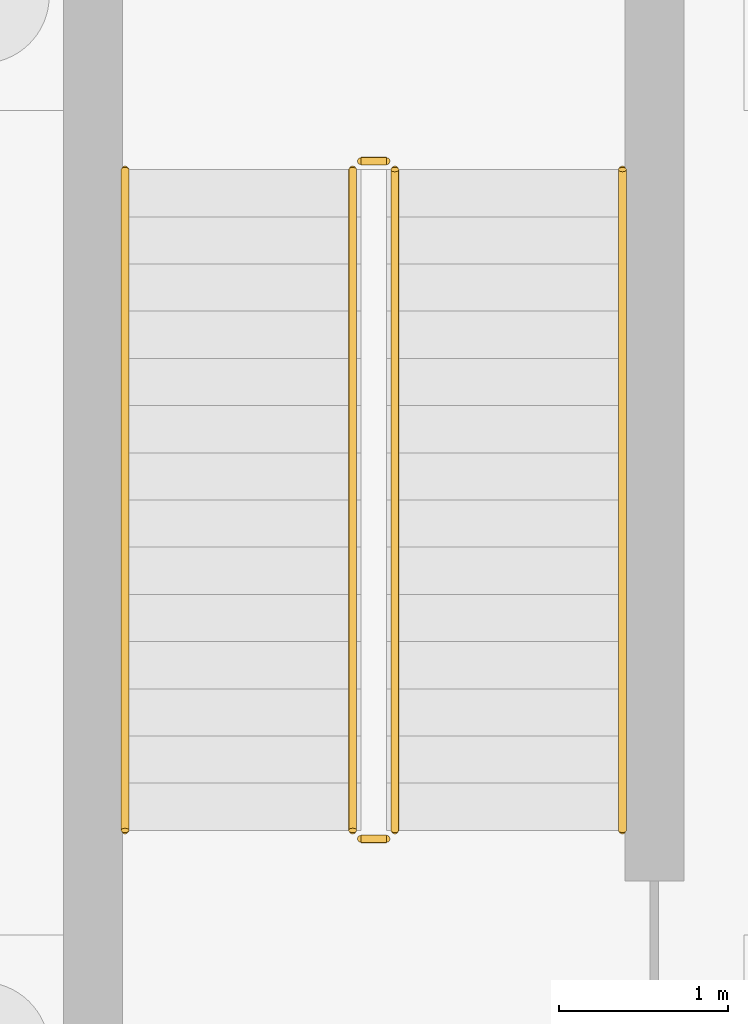
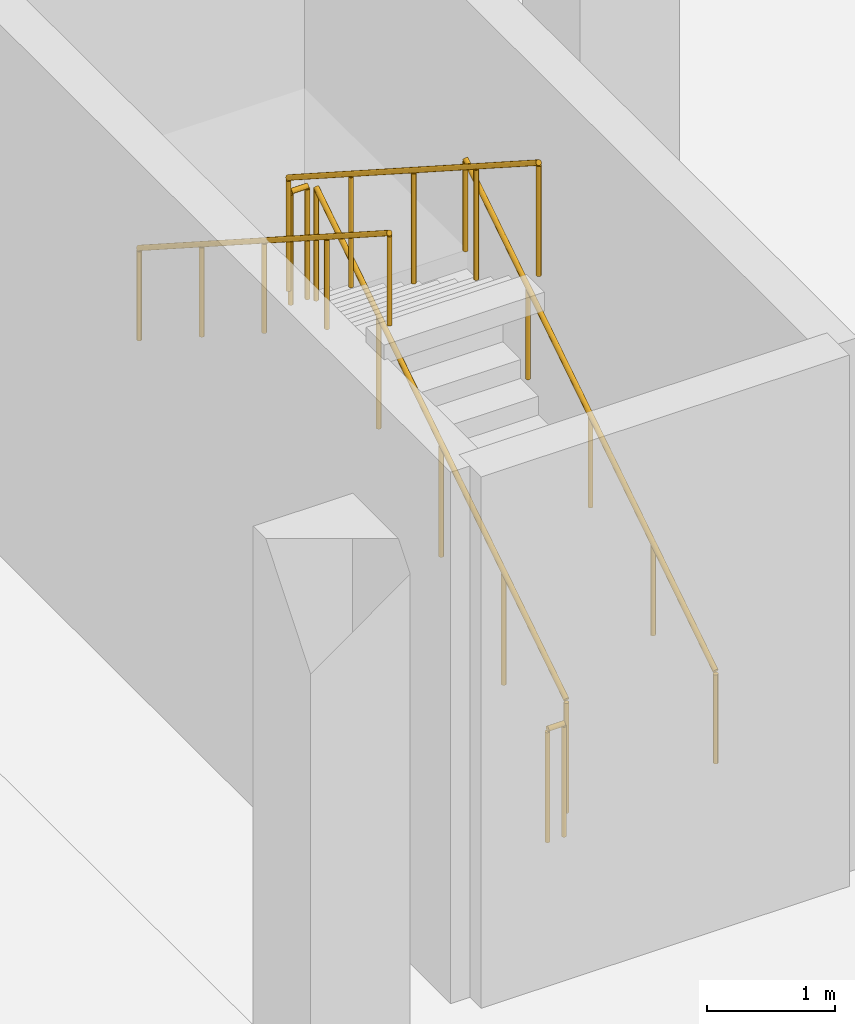
# One storey, part 39 of 42: 6 railings.
"""IFC4 building model written with IfcOpenShell, lengths in metres."""

from ifc_helpers import new_model, si_unit, direction, frame, origin, origin_2d, place, context, subcontext, project, spatial, circle, extrude, material, type_object, element, save


model = new_model("IFC4")

# Units and contexts
model_context = context("Model", 3, precision=1e-05, world=origin(), true_north=direction((0.0, 1.0)))
body_context = subcontext(model_context, "Body", "Model", "MODEL_VIEW")
ifc_project = project(units=[si_unit("LENGTHUNIT", "METRE"), si_unit("AREAUNIT", "SQUARE_METRE"), si_unit("VOLUMEUNIT", "CUBIC_METRE"), si_unit("PLANEANGLEUNIT", "RADIAN"), si_unit("MASSUNIT", "GRAM", prefix="KILO")], contexts=[model_context])

# Site, building, storey
site_placement = place(None, origin())
site = spatial("IfcSite", under=ifc_project, at=site_placement, CompositionType="ELEMENT")
building_placement = place(site_placement, origin())
building = spatial("IfcBuilding", under=site, at=building_placement, Name="Sundgate Opera House", CompositionType="ELEMENT")
storey_placement = place(building_placement, frame((0.0, 0.0, -5.39990234375)))
storey = spatial("IfcBuildingStorey", under=building, at=storey_placement, Name="B01", CompositionType="ELEMENT", Elevation=-5.39990234375)

# Railings
ifc_material_1 = material(Name="Painted steel S275 guardrail", Category="steel")
railing_type_1 = type_object("IfcRailingType", Name="RL-STAIR-GUARD-1100", PredefinedType="GUARDRAIL", material=ifc_material_1)
railing_1_placement = place(storey_placement, frame((98.85009765625, 89.300048828125, 0.179931640625)))
element("IfcRailing", 1, at=railing_1_placement, inside=storey, type_object=railing_type_1, Name="ST05B01 Guardrail RL0176", PredefinedType="GUARDRAIL", context=body_context, shape_type="SweptSolid", body=[
    extrude(circle(Radius=0.02392578125, at=origin_2d()), frame((0.0, 0.0, 1.076171875), z_axis=(0.0, 0.841171666519, 0.540768182723), x_axis=(-1.0, 0.0, 0.0)), (0.0, 0.0, 1.0), 4.66015625),
    extrude(circle(Radius=0.02099609375, at=origin_2d()), origin(), (0.0, 0.0, 1.0), 1.052001953125),
    extrude(circle(Radius=0.02099609375, at=origin_2d()), frame((0.0, 0.97998046875, 0.6298828125)), (0.0, 0.0, 1.0), 1.052001953125),
    extrude(circle(Radius=0.02099609375, at=origin_2d()), frame((0.0, 1.9599609375, 1.260009765625)), (0.0, 0.0, 1.0), 1.052001953125),
    extrude(circle(Radius=0.02099609375, at=origin_2d()), frame((0.0, 2.93994140625, 1.89013671875)), (0.0, 0.0, 1.0), 1.052001953125),
    extrude(circle(Radius=0.02099609375, at=origin_2d()), frame((0.0, 3.919921875, 2.52001953125)), (0.0, 0.0, 1.0), 1.052001953125),
])
railing_2_placement = place(storey_placement, frame((98.800048828125, 93.27001953125, 2.699951171875)))
element("IfcRailing", 2, at=railing_2_placement, inside=storey, type_object=railing_type_1, Name="ST05B01 Guardrail RL0177", PredefinedType="GUARDRAIL", context=body_context, shape_type="SweptSolid", body=[
    extrude(circle(Radius=0.02392578125, at=origin_2d()), frame((0.0, 0.0, 1.076171875), z_axis=(-1.0, 0.0, 0.0), x_axis=(0.0, -1.0, 0.0)), (0.0, 0.0, 1.0), 0.150146484375),
    extrude(circle(Radius=0.02099609375, at=origin_2d()), origin(), (0.0, 0.0, 1.0), 1.052001953125),
    extrude(circle(Radius=0.02099609375, at=origin_2d()), frame((-0.150146484375, 0.0, 0.0)), (0.0, 0.0, 1.0), 1.052001953125),
])
railing_3_placement = place(storey_placement, frame((98.60009765625, 93.219970703125, 2.8798828125)))
element("IfcRailing", 3, at=railing_3_placement, inside=storey, type_object=railing_type_1, Name="ST05B01 Guardrail RL0178", PredefinedType="GUARDRAIL", context=body_context, shape_type="SweptSolid", body=[
    extrude(circle(Radius=0.02392578125, at=origin_2d()), frame((0.0, 0.0, 1.076171875), z_axis=(0.0, -0.841171666519, 0.540768182723), x_axis=(1.0, 0.0, 0.0)), (0.0, 0.0, 1.0), 4.66015625),
    extrude(circle(Radius=0.02099609375, at=origin_2d()), origin(), (0.0, 0.0, 1.0), 1.052001953125),
    extrude(circle(Radius=0.02099609375, at=origin_2d()), frame((0.0, -0.97998046875, 0.6298828125)), (0.0, 0.0, 1.0), 1.052001953125),
    extrude(circle(Radius=0.02099609375, at=origin_2d()), frame((0.0, -1.9599609375, 1.260009765625)), (0.0, 0.0, 1.0), 1.052001953125),
    extrude(circle(Radius=0.02099609375, at=origin_2d()), frame((0.0, -2.93994140625, 1.89013671875)), (0.0, 0.0, 1.0), 1.052001953125),
    extrude(circle(Radius=0.02099609375, at=origin_2d()), frame((0.0, -3.919921875, 2.52001953125)), (0.0, 0.0, 1.0), 1.052001953125),
])
railing_4_placement = place(storey_placement, frame((98.800048828125, 89.25, 0.0)))
element("IfcRailing", 4, at=railing_4_placement, inside=storey, type_object=railing_type_1, Name="ST05B01 Guardrail RL0179", PredefinedType="GUARDRAIL", context=body_context, shape_type="SweptSolid", body=[
    extrude(circle(Radius=0.02392578125, at=origin_2d()), frame((0.0, 0.0, 1.076171875), z_axis=(-1.0, 0.0, 0.0), x_axis=(0.0, -1.0, 0.0)), (0.0, 0.0, 1.0), 0.150146484375),
    extrude(circle(Radius=0.02099609375, at=origin_2d()), origin(), (0.0, 0.0, 1.0), 1.052001953125),
    extrude(circle(Radius=0.02099609375, at=origin_2d()), frame((-0.150146484375, 0.0, 0.0)), (0.0, 0.0, 1.0), 1.052001953125),
])
ifc_material_2 = material(Name="Brushed stainless steel handrail", Category="steel")
railing_type_2 = type_object("IfcRailingType", Name="RL-STAIR-HAND-900", PredefinedType="HANDRAIL", material=ifc_material_2)
railing_5_placement = place(storey_placement, frame((100.199951171875, 89.300048828125, 0.179931640625)))
element("IfcRailing", 5, at=railing_5_placement, inside=storey, type_object=railing_type_2, Name="ST05B01 Handrail RL0180", PredefinedType="HANDRAIL", context=body_context, shape_type="SweptSolid", body=[
    extrude(circle(Radius=0.02392578125, at=origin_2d()), frame((0.0, 0.0, 0.8759765625), z_axis=(0.0, 0.841171666519, 0.540768182723), x_axis=(-1.0, 0.0, 0.0)), (0.0, 0.0, 1.0), 4.66015625),
    extrude(circle(Radius=0.02099609375, at=origin_2d()), origin(), (0.0, 0.0, 1.0), 0.851806640625),
    extrude(circle(Radius=0.02099609375, at=origin_2d()), frame((0.0, 0.97998046875, 0.6298828125)), (0.0, 0.0, 1.0), 0.851806640625),
    extrude(circle(Radius=0.02099609375, at=origin_2d()), frame((0.0, 1.9599609375, 1.260009765625)), (0.0, 0.0, 1.0), 0.851806640625),
    extrude(circle(Radius=0.02099609375, at=origin_2d()), frame((0.0, 2.93994140625, 1.89013671875)), (0.0, 0.0, 1.0), 0.851806640625),
    extrude(circle(Radius=0.02099609375, at=origin_2d()), frame((0.0, 3.919921875, 2.52001953125)), (0.0, 0.0, 1.0), 0.851806640625),
])
railing_6_placement = place(storey_placement, frame((97.25, 93.219970703125, 2.8798828125)))
element("IfcRailing", 6, at=railing_6_placement, inside=storey, type_object=railing_type_2, Name="ST05B01 Handrail RL0181", PredefinedType="HANDRAIL", context=body_context, shape_type="SweptSolid", body=[
    extrude(circle(Radius=0.02392578125, at=origin_2d()), frame((0.0, 0.0, 0.8759765625), z_axis=(0.0, -0.841171666519, 0.540768182723), x_axis=(1.0, 0.0, 0.0)), (0.0, 0.0, 1.0), 4.66015625),
    extrude(circle(Radius=0.02099609375, at=origin_2d()), origin(), (0.0, 0.0, 1.0), 0.851806640625),
    extrude(circle(Radius=0.02099609375, at=origin_2d()), frame((0.0, -0.97998046875, 0.6298828125)), (0.0, 0.0, 1.0), 0.851806640625),
    extrude(circle(Radius=0.02099609375, at=origin_2d()), frame((0.0, -1.9599609375, 1.260009765625)), (0.0, 0.0, 1.0), 0.851806640625),
    extrude(circle(Radius=0.02099609375, at=origin_2d()), frame((0.0, -2.93994140625, 1.89013671875)), (0.0, 0.0, 1.0), 0.851806640625),
    extrude(circle(Radius=0.02099609375, at=origin_2d()), frame((0.0, -3.919921875, 2.52001953125)), (0.0, 0.0, 1.0), 0.851806640625),
])

save(model, "model.ifc")
